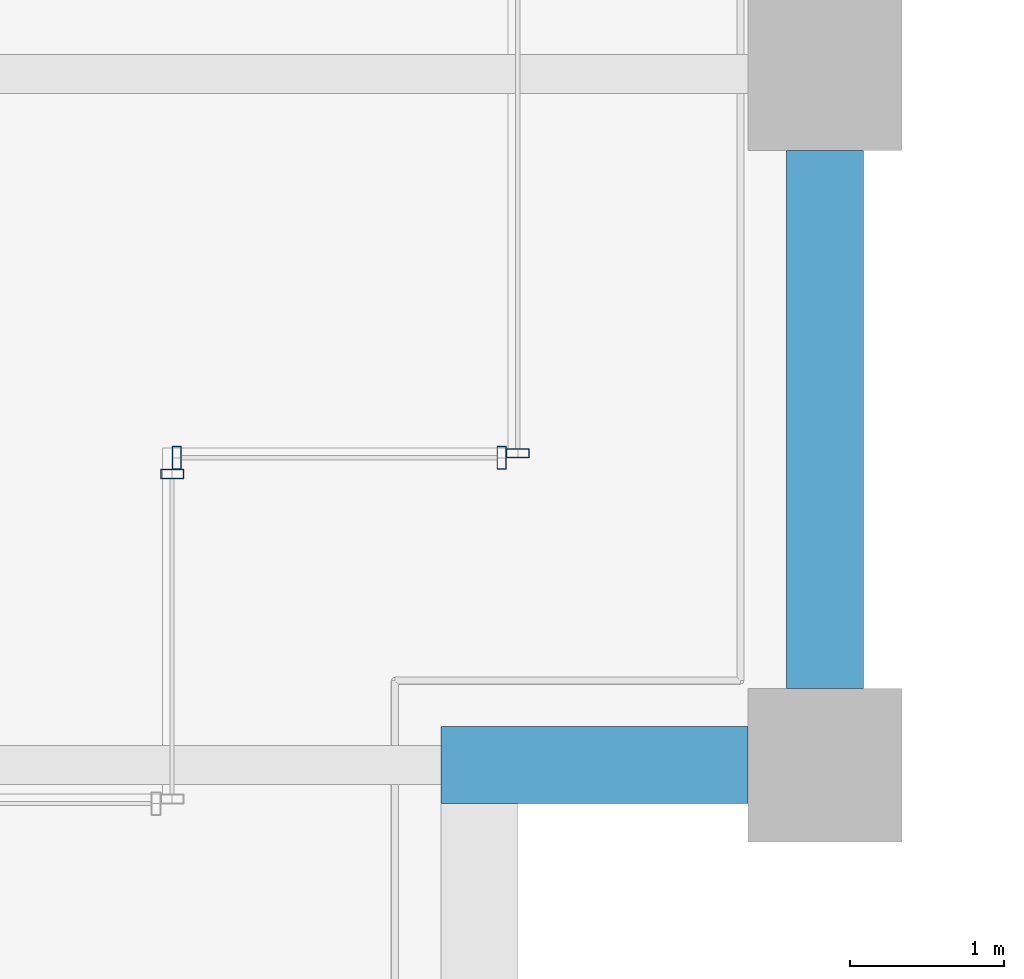
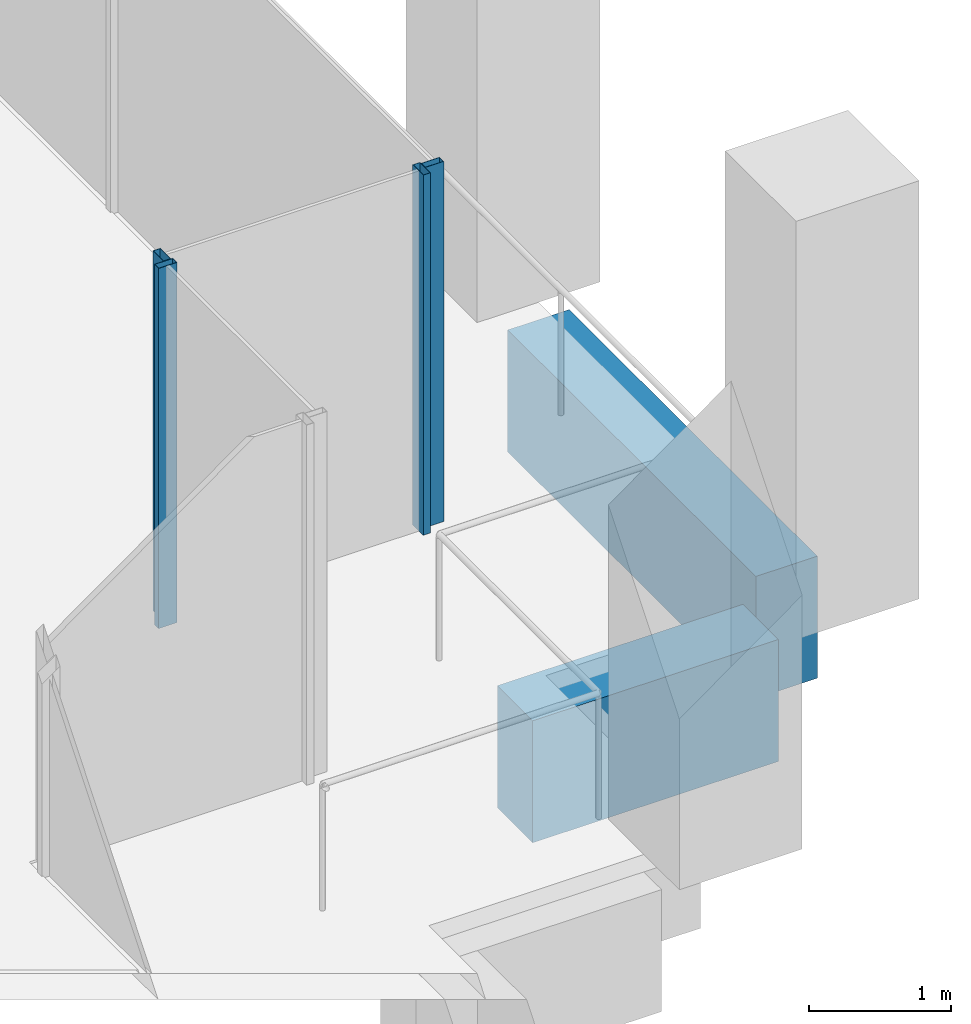
# One storey, part 13 of 46: 4 members, 2 beams, 3 elements without a shape of their own.
"""IFC4 building model written with IfcOpenShell, lengths in metres."""

from ifc_helpers import new_model, si_unit, direction, frame, origin, origin_2d, place, context, subcontext, project, spatial, rectangle, hollow_rectangle, extrude, material, material_profile, profile_set, type_object, element, aggregate, save


model = new_model("IFC4")

# Units and contexts
model_context = context("Model", 3, precision=1e-05, world=origin(), true_north=direction((0.0, 1.0)))
body_context = subcontext(model_context, "Body", "Model", "MODEL_VIEW")
ifc_project = project(units=[si_unit("LENGTHUNIT", "METRE"), si_unit("AREAUNIT", "SQUARE_METRE"), si_unit("VOLUMEUNIT", "CUBIC_METRE"), si_unit("PLANEANGLEUNIT", "RADIAN"), si_unit("MASSUNIT", "GRAM", prefix="KILO")], contexts=[model_context])

# Site, building, storey
site_placement = place(None, origin())
site = spatial("IfcSite", under=ifc_project, at=site_placement, CompositionType="ELEMENT")
building_placement = place(site_placement, origin())
building = spatial("IfcBuilding", under=site, at=building_placement, Name="Altepetl Exchange Towers", CompositionType="ELEMENT")
storey_placement = place(building_placement, frame((0.0, 0.0, 102.800048828125)))
storey = spatial("IfcBuildingStorey", under=building, at=storey_placement, Name="L25", CompositionType="ELEMENT", Elevation=102.800048828125)

# Curtain wall, member
ifc_material_1 = material(Name="Aluminium 6063-T6 glazing", Category="aluminium")
curtain_wall_type = type_object("IfcCurtainWallType", Name="Loggia glazing system", PredefinedType="NOTDEFINED", material=ifc_material_1)
curtain_wall_1_placement = place(storey_placement, origin())
curtain_wall_1 = element("IfcCurtainWall", 1, at=curtain_wall_1_placement, inside=storey, type_object=curtain_wall_type, Name="CW1 run", PredefinedType="NOTDEFINED")
ifc_material_2 = material(Name="Aluminium 6063-T6", Category="aluminium")
ifc_material_profile_1 = material_profile(ifc_material_2, hollow_rectangle(XDim=0.06005859375, YDim=0.14990234375, WallThickness=0.0029296875, at=origin_2d()), Name="Mullion 60x150 aluminium")
ifc_profile_set_1 = profile_set([ifc_material_profile_1], Name="Aluminium 6063-T6")
member_type = type_object("IfcMemberType", Name="Mullion 60x150 aluminium", PredefinedType="MULLION", material=ifc_profile_set_1)
member_1_placement = place(storey_placement, frame((67.75, 33.39501953125, 0.0), z_axis=(0.0, 0.0, 1.0), x_axis=(0.0, 1.0, 0.0)))
member_1 = element("IfcMember", 2, at=member_1_placement, type_object=member_type, Name="MU1 mullion", PredefinedType="MULLION", context=body_context, shape_type="SweptSolid", body=[
    extrude(hollow_rectangle(XDim=0.06005859375, YDim=0.14990234375, WallThickness=0.0029296875, at=origin_2d()), origin(), (0.0, 0.0, 1.0), 3.099853515625),
])
aggregate(curtain_wall_1, [member_1])

# Curtain wall, members
curtain_wall_2_placement = place(storey_placement, origin())
curtain_wall_2 = element("IfcCurtainWall", 3, at=curtain_wall_2_placement, inside=storey, type_object=curtain_wall_type, Name="CW1 run", PredefinedType="NOTDEFINED")
member_2_placement = place(storey_placement, frame((67.780029296875, 33.5, 0.0)))
member_2 = element("IfcMember", 4, at=member_2_placement, type_object=member_type, Name="MU1 mullion", PredefinedType="MULLION", context=body_context, shape_type="SweptSolid", body=[
    extrude(hollow_rectangle(XDim=0.06005859375, YDim=0.14990234375, WallThickness=0.0029296875, at=origin_2d()), origin(), (0.0, 0.0, 1.0), 3.099853515625),
])
member_3_placement = place(storey_placement, frame((69.89501953125, 33.5, 0.0)))
member_3 = element("IfcMember", 5, at=member_3_placement, type_object=member_type, Name="MU1 mullion", PredefinedType="MULLION", context=body_context, shape_type="SweptSolid", body=[
    extrude(hollow_rectangle(XDim=0.06005859375, YDim=0.14990234375, WallThickness=0.0029296875, at=origin_2d()), origin(), (0.0, 0.0, 1.0), 3.099853515625),
])
aggregate(curtain_wall_2, [member_2, member_3])

# Curtain wall, member
curtain_wall_3_placement = place(storey_placement, origin())
curtain_wall_3 = element("IfcCurtainWall", 6, at=curtain_wall_3_placement, inside=storey, type_object=curtain_wall_type, Name="CW1 run", PredefinedType="NOTDEFINED")
member_4_placement = place(storey_placement, frame((70.0, 33.530029296875, 0.0), z_axis=(0.0, 0.0, 1.0), x_axis=(0.0, 1.0, 0.0)))
member_4 = element("IfcMember", 7, at=member_4_placement, type_object=member_type, Name="MU1 mullion", PredefinedType="MULLION", context=body_context, shape_type="SweptSolid", body=[
    extrude(hollow_rectangle(XDim=0.06005859375, YDim=0.14990234375, WallThickness=0.0029296875, at=origin_2d()), origin(), (0.0, 0.0, 1.0), 3.099853515625),
])
aggregate(curtain_wall_3, [member_4])

# Beams
ifc_material_3 = material(Name="Concrete C50/60 precast with cantera amarilla facing", Category="concrete")
ifc_material_profile_2 = material_profile(ifc_material_3, rectangle(XDim=0.5, YDim=1.050048828125, at=origin_2d()), Name="500 x 1050")
ifc_profile_set_2 = profile_set([ifc_material_profile_2], Name="Concrete C50/60 precast with cantera amarilla facing")
beam_type = type_object("IfcBeamType", Name="Spandrel beam 500x1050 cantera amarilla", PredefinedType="SPANDREL", material=ifc_profile_set_2)
beam_1_placement = place(storey_placement, frame((69.5, 31.5, -0.675048828125), z_axis=(1.0, 0.0, 0.0), x_axis=(0.0, 1.0, 0.0)))
element("IfcBeam", 8, at=beam_1_placement, inside=storey, type_object=beam_type, Name="sp:A:L25:011", PredefinedType="SPANDREL", context=body_context, shape_type="SweptSolid", body=[
    extrude(rectangle(XDim=0.5, YDim=1.050048828125, at=origin_2d()), origin(), (0.0, 0.0, 1.0), 2.0),
])
beam_2_placement = place(storey_placement, frame((72.0, 32.0, -0.675048828125), z_axis=(0.0, 1.0, 0.0), x_axis=(-1.0, 0.0, 0.0)))
element("IfcBeam", 9, at=beam_2_placement, inside=storey, type_object=beam_type, Name="sp:A:L25:012", PredefinedType="SPANDREL", context=body_context, shape_type="SweptSolid", body=[
    extrude(rectangle(XDim=0.5, YDim=1.050048828125, at=origin_2d()), origin(), (0.0, 0.0, 1.0), 3.5),
])

save(model, "model.ifc")
